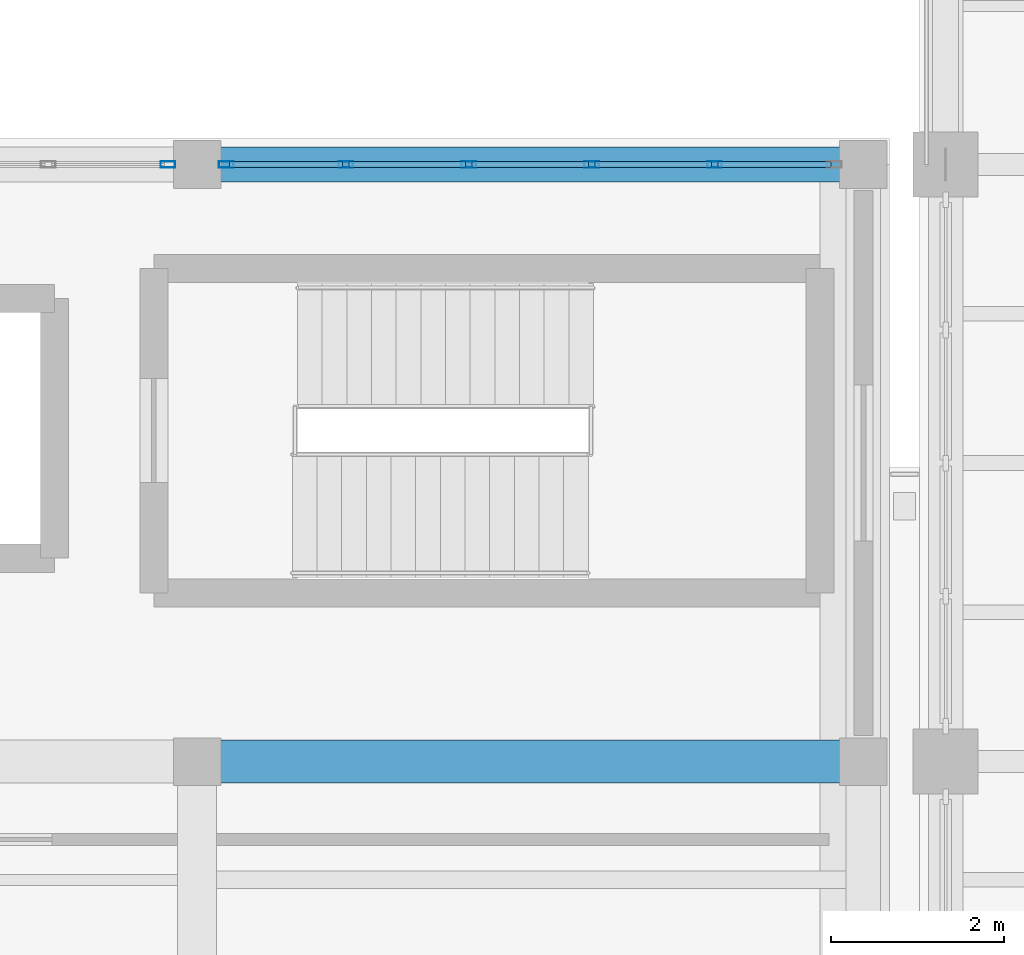
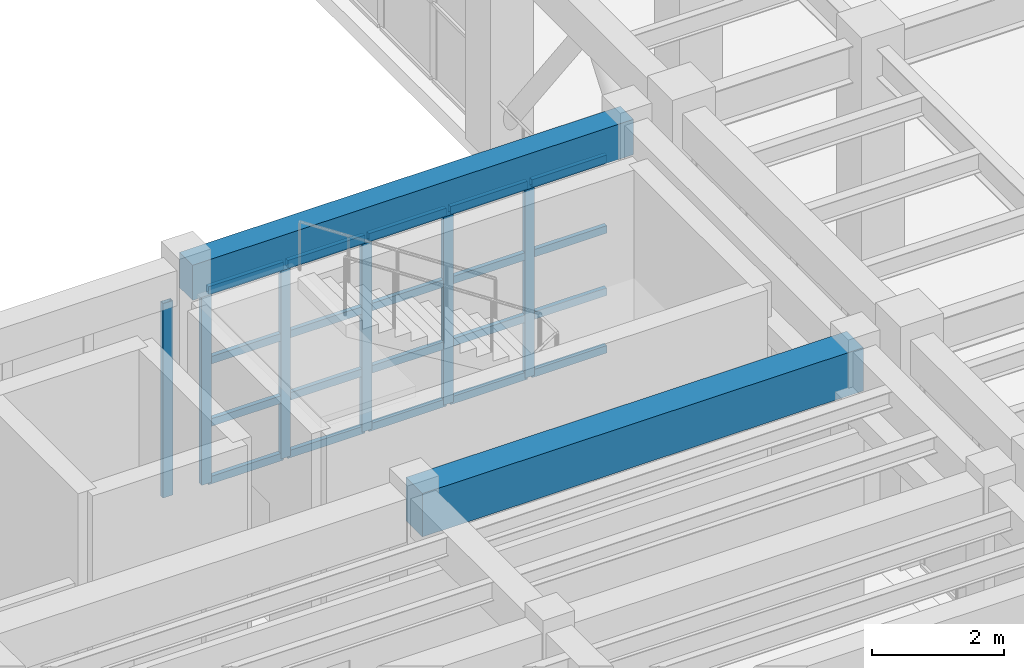
# One storey, part 32 of 85: 26 members, 2 beams, 2 elements without a shape of their own.
"""IFC4 building model written with IfcOpenShell, lengths in metres."""

from ifc_helpers import new_model, si_unit, direction, frame, origin, origin_2d, place, context, subcontext, project, spatial, rectangle, hollow_rectangle, extrude, material, layer, layer_set, material_profile, profile_set, type_object, element, aggregate, save


model = new_model("IFC4")

# Units and contexts
model_context = context("Model", 3, precision=1e-05, world=origin(), true_north=direction((0.0, 1.0)))
body_context = subcontext(model_context, "Body", "Model", "MODEL_VIEW")
ifc_project = project(units=[si_unit("LENGTHUNIT", "METRE"), si_unit("AREAUNIT", "SQUARE_METRE"), si_unit("VOLUMEUNIT", "CUBIC_METRE"), si_unit("PLANEANGLEUNIT", "RADIAN"), si_unit("MASSUNIT", "GRAM", prefix="KILO")], contexts=[model_context])

# Site, building, storey
site_placement = place(None, origin())
site = spatial("IfcSite", under=ifc_project, at=site_placement, CompositionType="ELEMENT")
building_placement = place(site_placement, origin())
building = spatial("IfcBuilding", under=site, at=building_placement, Name="Candilejo Ridge Gondola Terminal", CompositionType="ELEMENT")
storey_placement = place(building_placement, frame((0.0, 0.0, 4.5)))
storey = spatial("IfcBuildingStorey", under=building, at=storey_placement, Name="L01", CompositionType="ELEMENT", Elevation=4.5)

# Curtain wall, member
ifc_material_1 = material(Name="Anodised aluminium AA 6063-T6", Category="aluminium")
ifc_layer = layer(ifc_material_1, 0.169921875)
ifc_layer_set = layer_set([ifc_layer], Name="ARC-CW-GALLERY-3200-710X359")
curtain_wall_type = type_object("IfcCurtainWallType", Name="ARC-CW-GALLERY-3200-710X359", PredefinedType="NOTDEFINED", material=ifc_layer_set)
curtain_wall_1_placement = place(storey_placement, origin())
curtain_wall_1 = element("IfcCurtainWall", 1, at=curtain_wall_1_placement, inside=storey, type_object=curtain_wall_type, Name="Curtain wall V3 L01-078", PredefinedType="NOTDEFINED")
ifc_material_2 = material(Name="Anodised aluminium AA 6063-T6", Category="aluminium")
ifc_material_profile_1 = material_profile(ifc_material_2, hollow_rectangle(XDim=0.074951171875, YDim=0.169921875, WallThickness=0.00390625, at=origin_2d()))
ifc_profile_set_1 = profile_set([ifc_material_profile_1], Name="Anodised aluminium AA 6063-T6")
member_type_1 = type_object("IfcMemberType", Name="ARC-CW-MULLION", PredefinedType="MULLION", material=ifc_profile_set_1)
member_1_placement = place(storey_placement, frame((124.91259765625, 36.699951171875, 0.0), z_axis=(0.0, 0.0, 1.0), x_axis=(0.0, 1.0, 0.0)))
member_1 = element("IfcMember", 2, at=member_1_placement, type_object=member_type_1, Name="CW-71X35 mullion 6", PredefinedType="MULLION", context=body_context, shape_type="SweptSolid", body=[
    extrude(hollow_rectangle(XDim=0.074951171875, YDim=0.169921875, WallThickness=0.00390625, at=origin_2d()), origin(), (0.0, 0.0, 1.0), 3.590087890625),
])
aggregate(curtain_wall_1, [member_1])

# Curtain wall, members
curtain_wall_2_placement = place(storey_placement, origin())
curtain_wall_2 = element("IfcCurtainWall", 3, at=curtain_wall_2_placement, inside=storey, type_object=curtain_wall_type, Name="Curtain wall V3 L01-080", PredefinedType="NOTDEFINED")
member_2_placement = place(storey_placement, frame((125.58740234375, 36.699951171875, 0.0), z_axis=(0.0, 0.0, 1.0), x_axis=(0.0, 1.0, 0.0)))
member_2 = element("IfcMember", 4, at=member_2_placement, type_object=member_type_1, Name="CW-71X35 mullion 1", PredefinedType="MULLION", context=body_context, shape_type="SweptSolid", body=[
    extrude(hollow_rectangle(XDim=0.074951171875, YDim=0.169921875, WallThickness=0.00390625, at=origin_2d()), origin(), (0.0, 0.0, 1.0), 3.590087890625),
])
member_3_placement = place(storey_placement, frame((126.969970703125, 36.699951171875, 0.0), z_axis=(0.0, 0.0, 1.0), x_axis=(0.0, 1.0, 0.0)))
member_3 = element("IfcMember", 5, at=member_3_placement, type_object=member_type_1, Name="CW-71X35 mullion 2", PredefinedType="MULLION", context=body_context, shape_type="SweptSolid", body=[
    extrude(hollow_rectangle(XDim=0.074951171875, YDim=0.169921875, WallThickness=0.00390625, at=origin_2d()), origin(), (0.0, 0.0, 1.0), 3.590087890625),
])
member_4_placement = place(storey_placement, frame((128.389892578125, 36.699951171875, 0.0), z_axis=(0.0, 0.0, 1.0), x_axis=(0.0, 1.0, 0.0)))
member_4 = element("IfcMember", 6, at=member_4_placement, type_object=member_type_1, Name="CW-71X35 mullion 3", PredefinedType="MULLION", context=body_context, shape_type="SweptSolid", body=[
    extrude(hollow_rectangle(XDim=0.074951171875, YDim=0.169921875, WallThickness=0.00390625, at=origin_2d()), origin(), (0.0, 0.0, 1.0), 3.590087890625),
])
member_5_placement = place(storey_placement, frame((129.81005859375, 36.699951171875, 0.0), z_axis=(0.0, 0.0, 1.0), x_axis=(0.0, 1.0, 0.0)))
member_5 = element("IfcMember", 7, at=member_5_placement, type_object=member_type_1, Name="CW-71X35 mullion 4", PredefinedType="MULLION", context=body_context, shape_type="SweptSolid", body=[
    extrude(hollow_rectangle(XDim=0.074951171875, YDim=0.169921875, WallThickness=0.00390625, at=origin_2d()), origin(), (0.0, 0.0, 1.0), 3.590087890625),
])
member_6_placement = place(storey_placement, frame((131.22998046875, 36.699951171875, 0.0), z_axis=(0.0, 0.0, 1.0), x_axis=(0.0, 1.0, 0.0)))
member_6 = element("IfcMember", 8, at=member_6_placement, type_object=member_type_1, Name="CW-71X35 mullion 5", PredefinedType="MULLION", context=body_context, shape_type="SweptSolid", body=[
    extrude(hollow_rectangle(XDim=0.074951171875, YDim=0.169921875, WallThickness=0.00390625, at=origin_2d()), origin(), (0.0, 0.0, 1.0), 3.590087890625),
])
ifc_material_3 = material(Name="Anodised aluminium AA 6063-T6", Category="aluminium")
ifc_material_profile_2 = material_profile(ifc_material_3, hollow_rectangle(XDim=0.074951171875, YDim=0.139892578125, WallThickness=0.00390625, at=origin_2d()))
ifc_profile_set_2 = profile_set([ifc_material_profile_2], Name="Anodised aluminium AA 6063-T6")
member_type_2 = type_object("IfcMemberType", Name="ARC-CW-TRANSOM", PredefinedType="USERDEFINED", material=ifc_profile_set_2)
member_7_placement = place(storey_placement, frame((125.625, 36.699951171875, 0.03759765625), z_axis=(1.0, 0.0, 0.0), x_axis=(0.0, 1.0, 0.0)))
member_7 = element("IfcMember", 9, at=member_7_placement, type_object=member_type_2, Name="CW-71X35 transom 1.1", ObjectType="TRANSOM", PredefinedType="USERDEFINED", context=body_context, shape_type="SweptSolid", body=[
    extrude(hollow_rectangle(XDim=0.074951171875, YDim=0.139892578125, WallThickness=0.00390625, at=origin_2d()), origin(), (0.0, 0.0, 1.0), 1.3076171875),
])
member_8_placement = place(storey_placement, frame((125.625, 36.699951171875, 1.10009765625), z_axis=(1.0, 0.0, 0.0), x_axis=(0.0, 1.0, 0.0)))
member_8 = element("IfcMember", 10, at=member_8_placement, type_object=member_type_2, Name="CW-71X35 transom 1.2", ObjectType="TRANSOM", PredefinedType="USERDEFINED", context=body_context, shape_type="SweptSolid", body=[
    extrude(hollow_rectangle(XDim=0.074951171875, YDim=0.139892578125, WallThickness=0.00390625, at=origin_2d()), origin(), (0.0, 0.0, 1.0), 1.3076171875),
])
member_9_placement = place(storey_placement, frame((125.625, 36.699951171875, 2.25), z_axis=(1.0, 0.0, 0.0), x_axis=(0.0, 1.0, 0.0)))
member_9 = element("IfcMember", 11, at=member_9_placement, type_object=member_type_2, Name="CW-71X35 transom 1.3", ObjectType="TRANSOM", PredefinedType="USERDEFINED", context=body_context, shape_type="SweptSolid", body=[
    extrude(hollow_rectangle(XDim=0.074951171875, YDim=0.139892578125, WallThickness=0.00390625, at=origin_2d()), origin(), (0.0, 0.0, 1.0), 1.3076171875),
])
member_10_placement = place(storey_placement, frame((125.625, 36.699951171875, 3.552490234375), z_axis=(1.0, 0.0, 0.0), x_axis=(0.0, 1.0, 0.0)))
member_10 = element("IfcMember", 12, at=member_10_placement, type_object=member_type_2, Name="CW-71X35 transom 1.4", ObjectType="TRANSOM", PredefinedType="USERDEFINED", context=body_context, shape_type="SweptSolid", body=[
    extrude(hollow_rectangle(XDim=0.074951171875, YDim=0.139892578125, WallThickness=0.00390625, at=origin_2d()), origin(), (0.0, 0.0, 1.0), 1.3076171875),
])
member_11_placement = place(storey_placement, frame((127.007568359375, 36.699951171875, 0.03759765625), z_axis=(1.0, 0.0, 0.0), x_axis=(0.0, 1.0, 0.0)))
member_11 = element("IfcMember", 13, at=member_11_placement, type_object=member_type_2, Name="CW-71X35 transom 2.1", ObjectType="TRANSOM", PredefinedType="USERDEFINED", context=body_context, shape_type="SweptSolid", body=[
    extrude(hollow_rectangle(XDim=0.074951171875, YDim=0.139892578125, WallThickness=0.00390625, at=origin_2d()), origin(), (0.0, 0.0, 1.0), 1.344970703125),
])
member_12_placement = place(storey_placement, frame((127.007568359375, 36.699951171875, 1.10009765625), z_axis=(1.0, 0.0, 0.0), x_axis=(0.0, 1.0, 0.0)))
member_12 = element("IfcMember", 14, at=member_12_placement, type_object=member_type_2, Name="CW-71X35 transom 2.2", ObjectType="TRANSOM", PredefinedType="USERDEFINED", context=body_context, shape_type="SweptSolid", body=[
    extrude(hollow_rectangle(XDim=0.074951171875, YDim=0.139892578125, WallThickness=0.00390625, at=origin_2d()), origin(), (0.0, 0.0, 1.0), 1.344970703125),
])
member_13_placement = place(storey_placement, frame((127.007568359375, 36.699951171875, 2.25), z_axis=(1.0, 0.0, 0.0), x_axis=(0.0, 1.0, 0.0)))
member_13 = element("IfcMember", 15, at=member_13_placement, type_object=member_type_2, Name="CW-71X35 transom 2.3", ObjectType="TRANSOM", PredefinedType="USERDEFINED", context=body_context, shape_type="SweptSolid", body=[
    extrude(hollow_rectangle(XDim=0.074951171875, YDim=0.139892578125, WallThickness=0.00390625, at=origin_2d()), origin(), (0.0, 0.0, 1.0), 1.344970703125),
])
member_14_placement = place(storey_placement, frame((127.007568359375, 36.699951171875, 3.552490234375), z_axis=(1.0, 0.0, 0.0), x_axis=(0.0, 1.0, 0.0)))
member_14 = element("IfcMember", 16, at=member_14_placement, type_object=member_type_2, Name="CW-71X35 transom 2.4", ObjectType="TRANSOM", PredefinedType="USERDEFINED", context=body_context, shape_type="SweptSolid", body=[
    extrude(hollow_rectangle(XDim=0.074951171875, YDim=0.139892578125, WallThickness=0.00390625, at=origin_2d()), origin(), (0.0, 0.0, 1.0), 1.344970703125),
])
member_15_placement = place(storey_placement, frame((128.427490234375, 36.699951171875, 0.03759765625), z_axis=(1.0, 0.0, 0.0), x_axis=(0.0, 1.0, 0.0)))
member_15 = element("IfcMember", 17, at=member_15_placement, type_object=member_type_2, Name="CW-71X35 transom 3.1", ObjectType="TRANSOM", PredefinedType="USERDEFINED", context=body_context, shape_type="SweptSolid", body=[
    extrude(hollow_rectangle(XDim=0.074951171875, YDim=0.139892578125, WallThickness=0.00390625, at=origin_2d()), origin(), (0.0, 0.0, 1.0), 1.344970703125),
])
member_16_placement = place(storey_placement, frame((128.427490234375, 36.699951171875, 1.10009765625), z_axis=(1.0, 0.0, 0.0), x_axis=(0.0, 1.0, 0.0)))
member_16 = element("IfcMember", 18, at=member_16_placement, type_object=member_type_2, Name="CW-71X35 transom 3.2", ObjectType="TRANSOM", PredefinedType="USERDEFINED", context=body_context, shape_type="SweptSolid", body=[
    extrude(hollow_rectangle(XDim=0.074951171875, YDim=0.139892578125, WallThickness=0.00390625, at=origin_2d()), origin(), (0.0, 0.0, 1.0), 1.344970703125),
])
member_17_placement = place(storey_placement, frame((128.427490234375, 36.699951171875, 2.25), z_axis=(1.0, 0.0, 0.0), x_axis=(0.0, 1.0, 0.0)))
member_17 = element("IfcMember", 19, at=member_17_placement, type_object=member_type_2, Name="CW-71X35 transom 3.3", ObjectType="TRANSOM", PredefinedType="USERDEFINED", context=body_context, shape_type="SweptSolid", body=[
    extrude(hollow_rectangle(XDim=0.074951171875, YDim=0.139892578125, WallThickness=0.00390625, at=origin_2d()), origin(), (0.0, 0.0, 1.0), 1.344970703125),
])
member_18_placement = place(storey_placement, frame((128.427490234375, 36.699951171875, 3.552490234375), z_axis=(1.0, 0.0, 0.0), x_axis=(0.0, 1.0, 0.0)))
member_18 = element("IfcMember", 20, at=member_18_placement, type_object=member_type_2, Name="CW-71X35 transom 3.4", ObjectType="TRANSOM", PredefinedType="USERDEFINED", context=body_context, shape_type="SweptSolid", body=[
    extrude(hollow_rectangle(XDim=0.074951171875, YDim=0.139892578125, WallThickness=0.00390625, at=origin_2d()), origin(), (0.0, 0.0, 1.0), 1.344970703125),
])
member_19_placement = place(storey_placement, frame((129.847412109375, 36.699951171875, 0.03759765625), z_axis=(1.0, 0.0, 0.0), x_axis=(0.0, 1.0, 0.0)))
member_19 = element("IfcMember", 21, at=member_19_placement, type_object=member_type_2, Name="CW-71X35 transom 4.1", ObjectType="TRANSOM", PredefinedType="USERDEFINED", context=body_context, shape_type="SweptSolid", body=[
    extrude(hollow_rectangle(XDim=0.074951171875, YDim=0.139892578125, WallThickness=0.00390625, at=origin_2d()), origin(), (0.0, 0.0, 1.0), 1.344970703125),
])
member_20_placement = place(storey_placement, frame((129.847412109375, 36.699951171875, 1.10009765625), z_axis=(1.0, 0.0, 0.0), x_axis=(0.0, 1.0, 0.0)))
member_20 = element("IfcMember", 22, at=member_20_placement, type_object=member_type_2, Name="CW-71X35 transom 4.2", ObjectType="TRANSOM", PredefinedType="USERDEFINED", context=body_context, shape_type="SweptSolid", body=[
    extrude(hollow_rectangle(XDim=0.074951171875, YDim=0.139892578125, WallThickness=0.00390625, at=origin_2d()), origin(), (0.0, 0.0, 1.0), 1.344970703125),
])
member_21_placement = place(storey_placement, frame((129.847412109375, 36.699951171875, 2.25), z_axis=(1.0, 0.0, 0.0), x_axis=(0.0, 1.0, 0.0)))
member_21 = element("IfcMember", 23, at=member_21_placement, type_object=member_type_2, Name="CW-71X35 transom 4.3", ObjectType="TRANSOM", PredefinedType="USERDEFINED", context=body_context, shape_type="SweptSolid", body=[
    extrude(hollow_rectangle(XDim=0.074951171875, YDim=0.139892578125, WallThickness=0.00390625, at=origin_2d()), origin(), (0.0, 0.0, 1.0), 1.344970703125),
])
member_22_placement = place(storey_placement, frame((129.847412109375, 36.699951171875, 3.552490234375), z_axis=(1.0, 0.0, 0.0), x_axis=(0.0, 1.0, 0.0)))
member_22 = element("IfcMember", 24, at=member_22_placement, type_object=member_type_2, Name="CW-71X35 transom 4.4", ObjectType="TRANSOM", PredefinedType="USERDEFINED", context=body_context, shape_type="SweptSolid", body=[
    extrude(hollow_rectangle(XDim=0.074951171875, YDim=0.139892578125, WallThickness=0.00390625, at=origin_2d()), origin(), (0.0, 0.0, 1.0), 1.344970703125),
])
member_23_placement = place(storey_placement, frame((131.267578125, 36.699951171875, 0.03759765625), z_axis=(1.0, 0.0, 0.0), x_axis=(0.0, 1.0, 0.0)))
member_23 = element("IfcMember", 25, at=member_23_placement, type_object=member_type_2, Name="CW-71X35 transom 5.1", ObjectType="TRANSOM", PredefinedType="USERDEFINED", context=body_context, shape_type="SweptSolid", body=[
    extrude(hollow_rectangle(XDim=0.074951171875, YDim=0.139892578125, WallThickness=0.00390625, at=origin_2d()), origin(), (0.0, 0.0, 1.0), 1.307373046875),
])
member_24_placement = place(storey_placement, frame((131.267578125, 36.699951171875, 1.10009765625), z_axis=(1.0, 0.0, 0.0), x_axis=(0.0, 1.0, 0.0)))
member_24 = element("IfcMember", 26, at=member_24_placement, type_object=member_type_2, Name="CW-71X35 transom 5.2", ObjectType="TRANSOM", PredefinedType="USERDEFINED", context=body_context, shape_type="SweptSolid", body=[
    extrude(hollow_rectangle(XDim=0.074951171875, YDim=0.139892578125, WallThickness=0.00390625, at=origin_2d()), origin(), (0.0, 0.0, 1.0), 1.307373046875),
])
member_25_placement = place(storey_placement, frame((131.267578125, 36.699951171875, 2.25), z_axis=(1.0, 0.0, 0.0), x_axis=(0.0, 1.0, 0.0)))
member_25 = element("IfcMember", 27, at=member_25_placement, type_object=member_type_2, Name="CW-71X35 transom 5.3", ObjectType="TRANSOM", PredefinedType="USERDEFINED", context=body_context, shape_type="SweptSolid", body=[
    extrude(hollow_rectangle(XDim=0.074951171875, YDim=0.139892578125, WallThickness=0.00390625, at=origin_2d()), origin(), (0.0, 0.0, 1.0), 1.307373046875),
])
member_26_placement = place(storey_placement, frame((131.267578125, 36.699951171875, 3.552490234375), z_axis=(1.0, 0.0, 0.0), x_axis=(0.0, 1.0, 0.0)))
member_26 = element("IfcMember", 28, at=member_26_placement, type_object=member_type_2, Name="CW-71X35 transom 5.4", ObjectType="TRANSOM", PredefinedType="USERDEFINED", context=body_context, shape_type="SweptSolid", body=[
    extrude(hollow_rectangle(XDim=0.074951171875, YDim=0.139892578125, WallThickness=0.00390625, at=origin_2d()), origin(), (0.0, 0.0, 1.0), 1.307373046875),
])
aggregate(curtain_wall_2, [member_2, member_3, member_4, member_5, member_6, member_7, member_8, member_9, member_10, member_11, member_12, member_13, member_14, member_15, member_16, member_17, member_18, member_19, member_20, member_21, member_22, member_23, member_24, member_25, member_26])

# Beams
ifc_material_4 = material(Name="Concrete f'c 35 MPa (C35/45)", Category="concrete")
ifc_material_profile_3 = material_profile(ifc_material_4, rectangle(XDim=0.5, YDim=0.800048828125, at=origin_2d()))
ifc_profile_set_3 = profile_set([ifc_material_profile_3], Name="Concrete f'c 35 MPa (C35/45)")
beam_type_1 = type_object("IfcBeamType", Name="STR-BM-RC500X800", PredefinedType="BEAM", material=ifc_profile_set_3)
beam_1_placement = place(storey_placement, frame((125.25, 29.800048828125, 3.85009765625), z_axis=(1.0, 0.0, 0.0), x_axis=(0.0, 1.0, 0.0)))
element("IfcBeam", 29, at=beam_1_placement, inside=storey, type_object=beam_type_1, Name="Beam X V3 L01 X19-X20@Y06", PredefinedType="BEAM", context=body_context, shape_type="SweptSolid", body=[
    extrude(rectangle(XDim=0.5, YDim=0.800048828125, at=origin_2d()), origin(), (0.0, 0.0, 1.0), 7.699951171875),
])
ifc_material_5 = material(Name="Concrete f'c 35 MPa (C35/45)", Category="concrete")
ifc_material_profile_4 = material_profile(ifc_material_5, rectangle(XDim=0.39990234375, YDim=0.64990234375, at=origin_2d()))
ifc_profile_set_4 = profile_set([ifc_material_profile_4], Name="Concrete f'c 35 MPa (C35/45)")
beam_type_2 = type_object("IfcBeamType", Name="STR-SPN-RC400X650", PredefinedType="SPANDREL", material=ifc_profile_set_4)
beam_2_placement = place(storey_placement, frame((125.25, 36.699951171875, 3.925048828125), z_axis=(1.0, 0.0, 0.0), x_axis=(0.0, 1.0, 0.0)))
element("IfcBeam", 30, at=beam_2_placement, inside=storey, type_object=beam_type_2, Name="Beam X V3 L01 X19-X20@Y07", PredefinedType="SPANDREL", context=body_context, shape_type="SweptSolid", body=[
    extrude(rectangle(XDim=0.39990234375, YDim=0.64990234375, at=origin_2d()), origin(), (0.0, 0.0, 1.0), 7.699951171875),
])

save(model, "model.ifc")
